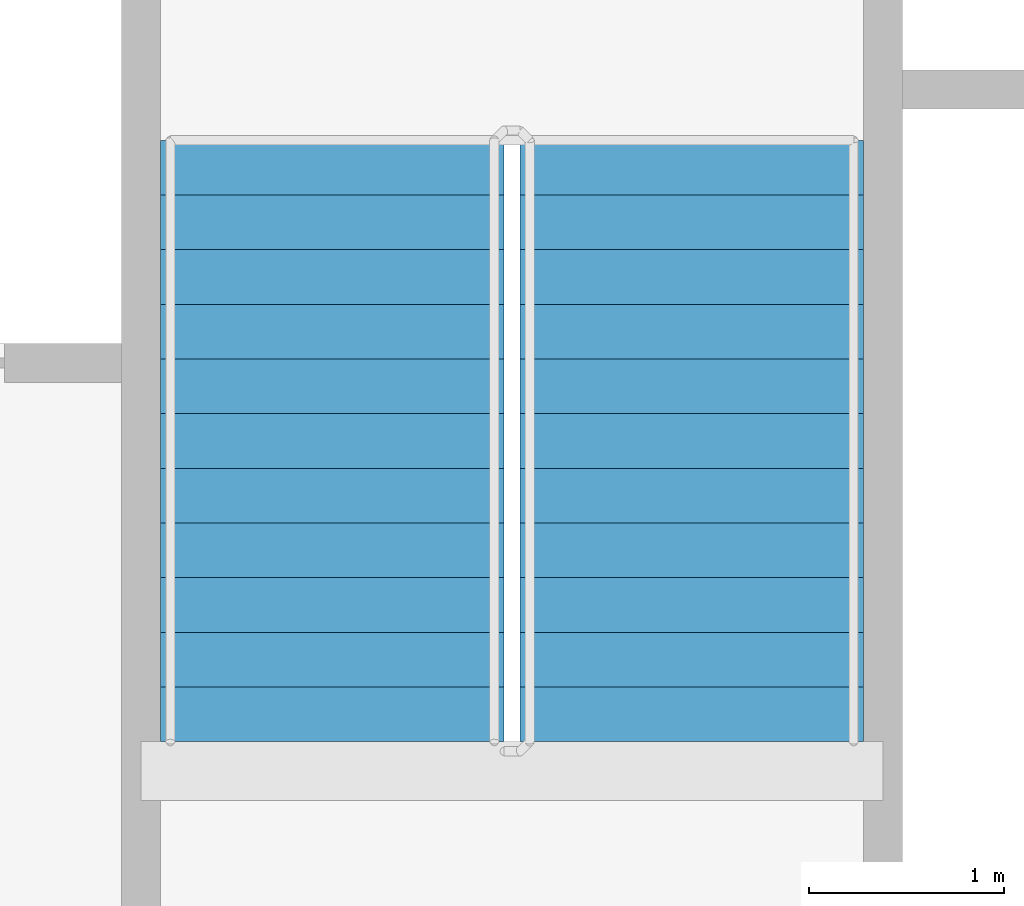
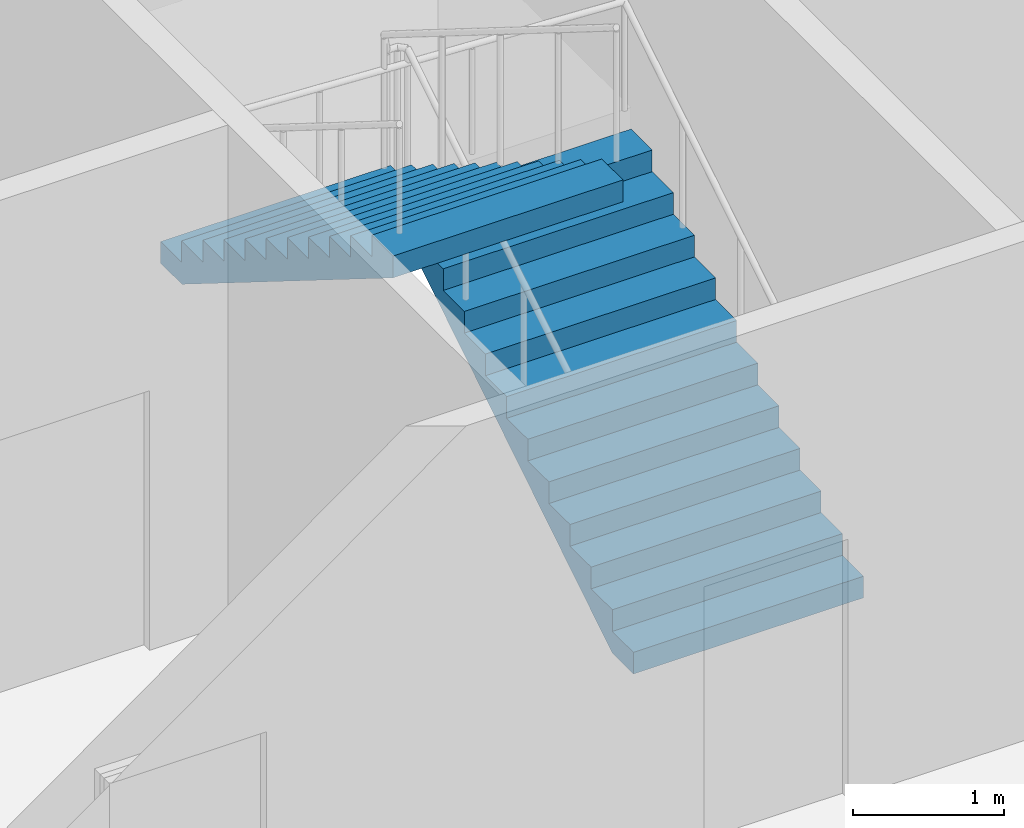
# One storey, part 22 of 27: 2 stair flights, 1 element without a shape of its own.
"""IFC4 building model written with IfcOpenShell, lengths in metres."""

from ifc_helpers import new_model, si_unit, direction, frame, origin, place, context, subcontext, project, spatial, faceted_brep, material, type_object, element, aggregate, save


model = new_model("IFC4")

# Units and contexts
model_context = context("Model", 3, precision=1e-05, world=origin(), true_north=direction((0.0, 1.0)))
body_context = subcontext(model_context, "Body", "Model", "MODEL_VIEW")
ifc_project = project(units=[si_unit("LENGTHUNIT", "METRE"), si_unit("AREAUNIT", "SQUARE_METRE"), si_unit("VOLUMEUNIT", "CUBIC_METRE"), si_unit("PLANEANGLEUNIT", "RADIAN"), si_unit("MASSUNIT", "GRAM", prefix="KILO")], contexts=[model_context])

# Site, building, storey
site_placement = place(None, origin())
site = spatial("IfcSite", under=ifc_project, at=site_placement, CompositionType="ELEMENT")
building_placement = place(site_placement, origin())
building = spatial("IfcBuilding", under=site, at=building_placement, Name="Tarsis Ring Headquarters", CompositionType="ELEMENT")
storey_placement = place(building_placement, frame((0.0, 0.0, 373.39990234375)))
storey = spatial("IfcBuildingStorey", under=building, at=storey_placement, Name="L88", CompositionType="ELEMENT", Elevation=373.39990234375)

# Stair, stair flights
ifc_material_1 = material(Name="Core stair 1760")
stair_type = type_object("IfcStairType", Name="Core stair 1760", PredefinedType="HALF_TURN_STAIR", material=ifc_material_1)
stair_placement = place(storey_placement, origin())
stair = element("IfcStair", 1, at=stair_placement, inside=storey, type_object=stair_type, Name="L88 Exit stair B", PredefinedType="HALF_TURN_STAIR")
ifc_material_2 = material(Name="Concrete C40/50", Category="concrete")
stair_flight_type = type_object("IfcStairFlightType", Name="Core stair flight 1760", PredefinedType="STRAIGHT", material=ifc_material_2)
stair_flight_1_placement = place(storey_placement, frame((5.419921875, 3.659912109375, 0.0), z_axis=(0.0, 0.0, 1.0), x_axis=(0.0, 1.0, 0.0)))
stair_flight_1 = element("IfcStairFlight", 2, at=stair_flight_1_placement, type_object=stair_flight_type, Name="Stair ST2 flight 1", NumberOfRisers=12, NumberOfTreads=11, PredefinedType="STRAIGHT", RiserHeight=0.175, TreadLength=0.28, context=body_context, shape_type="Brep", body=[
    faceted_brep([(0.0, 0.8798828125, 0.0), (0.0, 0.8798828125, 0.175048828125), (0.280029296875, 0.8798828125, 0.175048828125), (0.280029296875, 0.8798828125, 0.35009765625), (0.56005859375, 0.8798828125, 0.35009765625), (0.56005859375, 0.8798828125, 0.52490234375), (0.840087890625, 0.8798828125, 0.52490234375), (0.840087890625, 0.8798828125, 0.699951171875), (1.1201171875, 0.8798828125, 0.699951171875), (1.1201171875, 0.8798828125, 0.875), (1.39990234375, 0.8798828125, 0.875), (1.39990234375, 0.8798828125, 1.050048828125), (1.679931640625, 0.8798828125, 1.050048828125), (1.679931640625, 0.8798828125, 1.22509765625), (1.9599609375, 0.8798828125, 1.22509765625), (1.9599609375, 0.8798828125, 1.39990234375), (2.239990234375, 0.8798828125, 1.39990234375), (2.239990234375, 0.8798828125, 1.574951171875), (2.52001953125, 0.8798828125, 1.574951171875), (2.52001953125, 0.8798828125, 1.75), (2.800048828125, 0.8798828125, 1.75), (2.800048828125, 0.8798828125, 1.925048828125), (3.080078125, 0.8798828125, 1.925048828125), (3.080078125, 0.8798828125, 1.748291015625), (0.28271484375, 0.8798828125, 0.0), (0.28271484375, -0.8798828125, 0.0), (3.080078125, -0.8798828125, 1.748291015625), (3.080078125, -0.8798828125, 1.925048828125), (2.800048828125, -0.8798828125, 1.925048828125), (2.800048828125, -0.8798828125, 1.75), (2.52001953125, -0.8798828125, 1.75), (2.52001953125, -0.8798828125, 1.574951171875), (2.239990234375, -0.8798828125, 1.574951171875), (2.239990234375, -0.8798828125, 1.39990234375), (1.9599609375, -0.8798828125, 1.39990234375), (1.9599609375, -0.8798828125, 1.22509765625), (1.679931640625, -0.8798828125, 1.22509765625), (1.679931640625, -0.8798828125, 1.050048828125), (1.39990234375, -0.8798828125, 1.050048828125), (1.39990234375, -0.8798828125, 0.875), (1.1201171875, -0.8798828125, 0.875), (1.1201171875, -0.8798828125, 0.699951171875), (0.840087890625, -0.8798828125, 0.699951171875), (0.840087890625, -0.8798828125, 0.52490234375), (0.56005859375, -0.8798828125, 0.52490234375), (0.56005859375, -0.8798828125, 0.35009765625), (0.280029296875, -0.8798828125, 0.35009765625), (0.280029296875, -0.8798828125, 0.175048828125), (0.0, -0.8798828125, 0.175048828125), (0.0, -0.8798828125, 0.0), (0.0, -0.43994140625, 0.175048828125), (0.0, -0.43994140625, 0.0), (0.0, 0.0, 0.175048828125), (0.0, 0.0, 0.0), (0.0, 0.43994140625, 0.175048828125), (0.0, 0.43994140625, 0.0), (0.280029296875, -0.43994140625, 0.175048828125), (0.280029296875, 0.0, 0.175048828125), (0.280029296875, 0.43994140625, 0.175048828125), (0.280029296875, -0.43994140625, 0.35009765625), (0.280029296875, 0.0, 0.35009765625), (0.280029296875, 0.43994140625, 0.35009765625), (0.56005859375, -0.43994140625, 0.35009765625), (0.56005859375, 0.0, 0.35009765625), (0.56005859375, 0.43994140625, 0.35009765625), (0.56005859375, -0.43994140625, 0.52490234375), (0.56005859375, 0.0, 0.52490234375), (0.56005859375, 0.43994140625, 0.52490234375), (0.840087890625, -0.43994140625, 0.52490234375), (0.840087890625, 0.0, 0.52490234375), (0.840087890625, 0.43994140625, 0.52490234375), (0.840087890625, -0.43994140625, 0.699951171875), (0.840087890625, 0.0, 0.699951171875), (0.840087890625, 0.43994140625, 0.699951171875), (1.1201171875, -0.43994140625, 0.699951171875), (1.1201171875, 0.0, 0.699951171875), (1.1201171875, 0.43994140625, 0.699951171875), (1.1201171875, -0.43994140625, 0.875), (1.1201171875, 0.0, 0.875), (1.1201171875, 0.43994140625, 0.875), (1.39990234375, -0.43994140625, 0.875), (1.39990234375, 0.0, 0.875), (1.39990234375, 0.43994140625, 0.875), (1.39990234375, -0.43994140625, 1.050048828125), (1.39990234375, 0.0, 1.050048828125), (1.39990234375, 0.43994140625, 1.050048828125), (1.679931640625, -0.43994140625, 1.050048828125), (1.679931640625, 0.0, 1.050048828125), (1.679931640625, 0.43994140625, 1.050048828125), (1.679931640625, -0.43994140625, 1.22509765625), (1.679931640625, 0.0, 1.22509765625), (1.679931640625, 0.43994140625, 1.22509765625), (1.9599609375, -0.43994140625, 1.22509765625), (1.9599609375, 0.0, 1.22509765625), (1.9599609375, 0.43994140625, 1.22509765625), (1.9599609375, -0.43994140625, 1.39990234375), (1.9599609375, 0.0, 1.39990234375), (1.9599609375, 0.43994140625, 1.39990234375), (2.239990234375, -0.43994140625, 1.39990234375), (2.239990234375, 0.0, 1.39990234375), (2.239990234375, 0.43994140625, 1.39990234375), (2.239990234375, -0.43994140625, 1.574951171875), (2.239990234375, 0.0, 1.574951171875), (2.239990234375, 0.43994140625, 1.574951171875), (2.52001953125, -0.43994140625, 1.574951171875), (2.52001953125, 0.0, 1.574951171875), (2.52001953125, 0.43994140625, 1.574951171875), (2.52001953125, -0.43994140625, 1.75), (2.52001953125, 0.0, 1.75), (2.52001953125, 0.43994140625, 1.75), (2.800048828125, -0.43994140625, 1.75), (2.800048828125, 0.0, 1.75), (2.800048828125, 0.43994140625, 1.75), (2.800048828125, -0.43994140625, 1.925048828125), (2.800048828125, 0.0, 1.925048828125), (2.800048828125, 0.43994140625, 1.925048828125), (3.080078125, -0.43994140625, 1.925048828125), (3.080078125, 0.0, 1.925048828125), (3.080078125, 0.43994140625, 1.925048828125), (3.080078125, -0.43994140625, 1.748291015625), (3.080078125, 0.0, 1.748291015625), (3.080078125, 0.43994140625, 1.748291015625), (0.28271484375, -0.43994140625, 0.0), (0.28271484375, 0.0, 0.0), (0.28271484375, 0.43994140625, 0.0)], [[[0, 1, 2, 3, 4, 5, 6, 7, 8, 9, 10, 11, 12, 13, 14, 15, 16, 17, 18, 19, 20, 21, 22, 23, 24]], [[25, 26, 27, 28, 29, 30, 31, 32, 33, 34, 35, 36, 37, 38, 39, 40, 41, 42, 43, 44, 45, 46, 47, 48, 49]], [[49, 48, 50, 51]], [[51, 50, 52, 53]], [[53, 52, 54, 55]], [[55, 54, 1, 0]], [[48, 47, 56, 50]], [[50, 56, 57, 52]], [[52, 57, 58, 54]], [[54, 58, 2, 1]], [[47, 46, 59, 56]], [[56, 59, 60, 57]], [[57, 60, 61, 58]], [[58, 61, 3, 2]], [[46, 45, 62, 59]], [[59, 62, 63, 60]], [[60, 63, 64, 61]], [[61, 64, 4, 3]], [[45, 44, 65, 62]], [[62, 65, 66, 63]], [[63, 66, 67, 64]], [[64, 67, 5, 4]], [[44, 43, 68, 65]], [[65, 68, 69, 66]], [[66, 69, 70, 67]], [[67, 70, 6, 5]], [[43, 42, 71, 68]], [[68, 71, 72, 69]], [[69, 72, 73, 70]], [[70, 73, 7, 6]], [[42, 41, 74, 71]], [[71, 74, 75, 72]], [[72, 75, 76, 73]], [[73, 76, 8, 7]], [[41, 40, 77, 74]], [[74, 77, 78, 75]], [[75, 78, 79, 76]], [[76, 79, 9, 8]], [[40, 39, 80, 77]], [[77, 80, 81, 78]], [[78, 81, 82, 79]], [[79, 82, 10, 9]], [[39, 38, 83, 80]], [[80, 83, 84, 81]], [[81, 84, 85, 82]], [[82, 85, 11, 10]], [[38, 37, 86, 83]], [[83, 86, 87, 84]], [[84, 87, 88, 85]], [[85, 88, 12, 11]], [[37, 36, 89, 86]], [[86, 89, 90, 87]], [[87, 90, 91, 88]], [[88, 91, 13, 12]], [[36, 35, 92, 89]], [[89, 92, 93, 90]], [[90, 93, 94, 91]], [[91, 94, 14, 13]], [[35, 34, 95, 92]], [[92, 95, 96, 93]], [[93, 96, 97, 94]], [[94, 97, 15, 14]], [[34, 33, 98, 95]], [[95, 98, 99, 96]], [[96, 99, 100, 97]], [[97, 100, 16, 15]], [[33, 32, 101, 98]], [[98, 101, 102, 99]], [[99, 102, 103, 100]], [[100, 103, 17, 16]], [[32, 31, 104, 101]], [[101, 104, 105, 102]], [[102, 105, 106, 103]], [[103, 106, 18, 17]], [[31, 30, 107, 104]], [[104, 107, 108, 105]], [[105, 108, 109, 106]], [[106, 109, 19, 18]], [[30, 29, 110, 107]], [[107, 110, 111, 108]], [[108, 111, 112, 109]], [[109, 112, 20, 19]], [[29, 28, 113, 110]], [[110, 113, 114, 111]], [[111, 114, 115, 112]], [[112, 115, 21, 20]], [[28, 27, 116, 113]], [[113, 116, 117, 114]], [[114, 117, 118, 115]], [[115, 118, 22, 21]], [[27, 26, 119, 116]], [[116, 119, 120, 117]], [[117, 120, 121, 118]], [[118, 121, 23, 22]], [[26, 25, 122, 119]], [[119, 122, 123, 120]], [[120, 123, 124, 121]], [[121, 124, 24, 23]], [[25, 49, 51, 122]], [[122, 51, 53, 123]], [[123, 53, 55, 124]], [[124, 55, 0, 24]]]),
])
stair_flight_2_placement = place(storey_placement, frame((3.580078125, 6.739990234375, 2.10009765625), z_axis=(0.0, 0.0, 1.0), x_axis=(0.0, -1.0, 0.0)))
stair_flight_2 = element("IfcStairFlight", 3, at=stair_flight_2_placement, type_object=stair_flight_type, Name="Stair ST2 flight 2", NumberOfRisers=12, NumberOfTreads=11, PredefinedType="STRAIGHT", RiserHeight=0.175, TreadLength=0.28, context=body_context, shape_type="Brep", body=[
    faceted_brep([(0.0, 0.8798828125, 0.0), (0.0, 0.8798828125, 0.175048828125), (0.280029296875, 0.8798828125, 0.175048828125), (0.280029296875, 0.8798828125, 0.35009765625), (0.56005859375, 0.8798828125, 0.35009765625), (0.56005859375, 0.8798828125, 0.52490234375), (0.840087890625, 0.8798828125, 0.52490234375), (0.840087890625, 0.8798828125, 0.699951171875), (1.1201171875, 0.8798828125, 0.699951171875), (1.1201171875, 0.8798828125, 0.875), (1.39990234375, 0.8798828125, 0.875), (1.39990234375, 0.8798828125, 1.050048828125), (1.679931640625, 0.8798828125, 1.050048828125), (1.679931640625, 0.8798828125, 1.22509765625), (1.9599609375, 0.8798828125, 1.22509765625), (1.9599609375, 0.8798828125, 1.39990234375), (2.239990234375, 0.8798828125, 1.39990234375), (2.239990234375, 0.8798828125, 1.574951171875), (2.52001953125, 0.8798828125, 1.574951171875), (2.52001953125, 0.8798828125, 1.75), (2.800048828125, 0.8798828125, 1.75), (2.800048828125, 0.8798828125, 1.925048828125), (3.080078125, 0.8798828125, 1.925048828125), (3.080078125, 0.8798828125, 1.748291015625), (0.28271484375, 0.8798828125, 0.0), (0.28271484375, -0.8798828125, 0.0), (3.080078125, -0.8798828125, 1.748291015625), (3.080078125, -0.8798828125, 1.925048828125), (2.800048828125, -0.8798828125, 1.925048828125), (2.800048828125, -0.8798828125, 1.75), (2.52001953125, -0.8798828125, 1.75), (2.52001953125, -0.8798828125, 1.574951171875), (2.239990234375, -0.8798828125, 1.574951171875), (2.239990234375, -0.8798828125, 1.39990234375), (1.9599609375, -0.8798828125, 1.39990234375), (1.9599609375, -0.8798828125, 1.22509765625), (1.679931640625, -0.8798828125, 1.22509765625), (1.679931640625, -0.8798828125, 1.050048828125), (1.39990234375, -0.8798828125, 1.050048828125), (1.39990234375, -0.8798828125, 0.875), (1.1201171875, -0.8798828125, 0.875), (1.1201171875, -0.8798828125, 0.699951171875), (0.840087890625, -0.8798828125, 0.699951171875), (0.840087890625, -0.8798828125, 0.52490234375), (0.56005859375, -0.8798828125, 0.52490234375), (0.56005859375, -0.8798828125, 0.35009765625), (0.280029296875, -0.8798828125, 0.35009765625), (0.280029296875, -0.8798828125, 0.175048828125), (0.0, -0.8798828125, 0.175048828125), (0.0, -0.8798828125, 0.0), (0.0, -0.43994140625, 0.175048828125), (0.0, -0.43994140625, 0.0), (0.0, 0.0, 0.175048828125), (0.0, 0.0, 0.0), (0.0, 0.43994140625, 0.175048828125), (0.0, 0.43994140625, 0.0), (0.280029296875, -0.43994140625, 0.175048828125), (0.280029296875, 0.0, 0.175048828125), (0.280029296875, 0.43994140625, 0.175048828125), (0.280029296875, -0.43994140625, 0.35009765625), (0.280029296875, 0.0, 0.35009765625), (0.280029296875, 0.43994140625, 0.35009765625), (0.56005859375, -0.43994140625, 0.35009765625), (0.56005859375, 0.0, 0.35009765625), (0.56005859375, 0.43994140625, 0.35009765625), (0.56005859375, -0.43994140625, 0.52490234375), (0.56005859375, 0.0, 0.52490234375), (0.56005859375, 0.43994140625, 0.52490234375), (0.840087890625, -0.43994140625, 0.52490234375), (0.840087890625, 0.0, 0.52490234375), (0.840087890625, 0.43994140625, 0.52490234375), (0.840087890625, -0.43994140625, 0.699951171875), (0.840087890625, 0.0, 0.699951171875), (0.840087890625, 0.43994140625, 0.699951171875), (1.1201171875, -0.43994140625, 0.699951171875), (1.1201171875, 0.0, 0.699951171875), (1.1201171875, 0.43994140625, 0.699951171875), (1.1201171875, -0.43994140625, 0.875), (1.1201171875, 0.0, 0.875), (1.1201171875, 0.43994140625, 0.875), (1.39990234375, -0.43994140625, 0.875), (1.39990234375, 0.0, 0.875), (1.39990234375, 0.43994140625, 0.875), (1.39990234375, -0.43994140625, 1.050048828125), (1.39990234375, 0.0, 1.050048828125), (1.39990234375, 0.43994140625, 1.050048828125), (1.679931640625, -0.43994140625, 1.050048828125), (1.679931640625, 0.0, 1.050048828125), (1.679931640625, 0.43994140625, 1.050048828125), (1.679931640625, -0.43994140625, 1.22509765625), (1.679931640625, 0.0, 1.22509765625), (1.679931640625, 0.43994140625, 1.22509765625), (1.9599609375, -0.43994140625, 1.22509765625), (1.9599609375, 0.0, 1.22509765625), (1.9599609375, 0.43994140625, 1.22509765625), (1.9599609375, -0.43994140625, 1.39990234375), (1.9599609375, 0.0, 1.39990234375), (1.9599609375, 0.43994140625, 1.39990234375), (2.239990234375, -0.43994140625, 1.39990234375), (2.239990234375, 0.0, 1.39990234375), (2.239990234375, 0.43994140625, 1.39990234375), (2.239990234375, -0.43994140625, 1.574951171875), (2.239990234375, 0.0, 1.574951171875), (2.239990234375, 0.43994140625, 1.574951171875), (2.52001953125, -0.43994140625, 1.574951171875), (2.52001953125, 0.0, 1.574951171875), (2.52001953125, 0.43994140625, 1.574951171875), (2.52001953125, -0.43994140625, 1.75), (2.52001953125, 0.0, 1.75), (2.52001953125, 0.43994140625, 1.75), (2.800048828125, -0.43994140625, 1.75), (2.800048828125, 0.0, 1.75), (2.800048828125, 0.43994140625, 1.75), (2.800048828125, -0.43994140625, 1.925048828125), (2.800048828125, 0.0, 1.925048828125), (2.800048828125, 0.43994140625, 1.925048828125), (3.080078125, -0.43994140625, 1.925048828125), (3.080078125, 0.0, 1.925048828125), (3.080078125, 0.43994140625, 1.925048828125), (3.080078125, -0.43994140625, 1.748291015625), (3.080078125, 0.0, 1.748291015625), (3.080078125, 0.43994140625, 1.748291015625), (0.28271484375, -0.43994140625, 0.0), (0.28271484375, 0.0, 0.0), (0.28271484375, 0.43994140625, 0.0)], [[[0, 1, 2, 3, 4, 5, 6, 7, 8, 9, 10, 11, 12, 13, 14, 15, 16, 17, 18, 19, 20, 21, 22, 23, 24]], [[25, 26, 27, 28, 29, 30, 31, 32, 33, 34, 35, 36, 37, 38, 39, 40, 41, 42, 43, 44, 45, 46, 47, 48, 49]], [[49, 48, 50, 51]], [[51, 50, 52, 53]], [[53, 52, 54, 55]], [[55, 54, 1, 0]], [[48, 47, 56, 50]], [[50, 56, 57, 52]], [[52, 57, 58, 54]], [[54, 58, 2, 1]], [[47, 46, 59, 56]], [[56, 59, 60, 57]], [[57, 60, 61, 58]], [[58, 61, 3, 2]], [[46, 45, 62, 59]], [[59, 62, 63, 60]], [[60, 63, 64, 61]], [[61, 64, 4, 3]], [[45, 44, 65, 62]], [[62, 65, 66, 63]], [[63, 66, 67, 64]], [[64, 67, 5, 4]], [[44, 43, 68, 65]], [[65, 68, 69, 66]], [[66, 69, 70, 67]], [[67, 70, 6, 5]], [[43, 42, 71, 68]], [[68, 71, 72, 69]], [[69, 72, 73, 70]], [[70, 73, 7, 6]], [[42, 41, 74, 71]], [[71, 74, 75, 72]], [[72, 75, 76, 73]], [[73, 76, 8, 7]], [[41, 40, 77, 74]], [[74, 77, 78, 75]], [[75, 78, 79, 76]], [[76, 79, 9, 8]], [[40, 39, 80, 77]], [[77, 80, 81, 78]], [[78, 81, 82, 79]], [[79, 82, 10, 9]], [[39, 38, 83, 80]], [[80, 83, 84, 81]], [[81, 84, 85, 82]], [[82, 85, 11, 10]], [[38, 37, 86, 83]], [[83, 86, 87, 84]], [[84, 87, 88, 85]], [[85, 88, 12, 11]], [[37, 36, 89, 86]], [[86, 89, 90, 87]], [[87, 90, 91, 88]], [[88, 91, 13, 12]], [[36, 35, 92, 89]], [[89, 92, 93, 90]], [[90, 93, 94, 91]], [[91, 94, 14, 13]], [[35, 34, 95, 92]], [[92, 95, 96, 93]], [[93, 96, 97, 94]], [[94, 97, 15, 14]], [[34, 33, 98, 95]], [[95, 98, 99, 96]], [[96, 99, 100, 97]], [[97, 100, 16, 15]], [[33, 32, 101, 98]], [[98, 101, 102, 99]], [[99, 102, 103, 100]], [[100, 103, 17, 16]], [[32, 31, 104, 101]], [[101, 104, 105, 102]], [[102, 105, 106, 103]], [[103, 106, 18, 17]], [[31, 30, 107, 104]], [[104, 107, 108, 105]], [[105, 108, 109, 106]], [[106, 109, 19, 18]], [[30, 29, 110, 107]], [[107, 110, 111, 108]], [[108, 111, 112, 109]], [[109, 112, 20, 19]], [[29, 28, 113, 110]], [[110, 113, 114, 111]], [[111, 114, 115, 112]], [[112, 115, 21, 20]], [[28, 27, 116, 113]], [[113, 116, 117, 114]], [[114, 117, 118, 115]], [[115, 118, 22, 21]], [[27, 26, 119, 116]], [[116, 119, 120, 117]], [[117, 120, 121, 118]], [[118, 121, 23, 22]], [[26, 25, 122, 119]], [[119, 122, 123, 120]], [[120, 123, 124, 121]], [[121, 124, 24, 23]], [[25, 49, 51, 122]], [[122, 51, 53, 123]], [[123, 53, 55, 124]], [[124, 55, 0, 24]]]),
])
aggregate(stair, [stair_flight_1, stair_flight_2])

save(model, "model.ifc")
